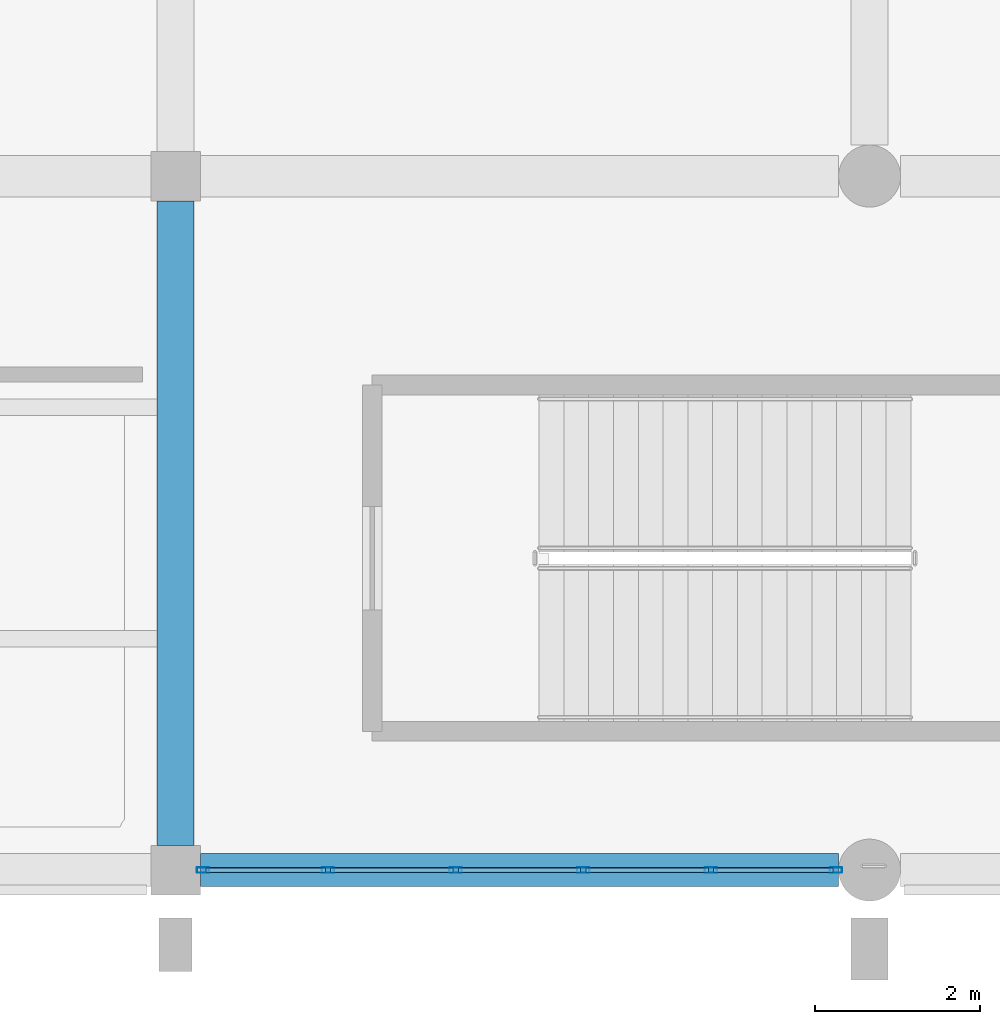
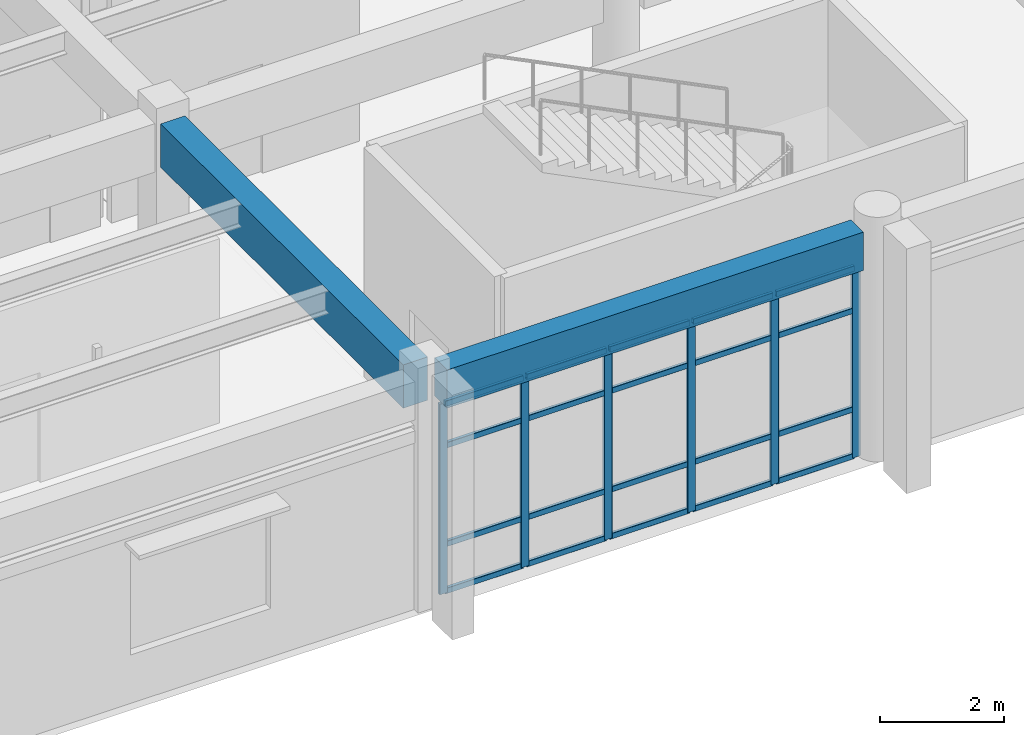
# One storey, part 20 of 139: 26 members, 2 beams, 1 element without a shape of its own.
"""IFC4 building model written with IfcOpenShell, lengths in metres."""

from ifc_helpers import new_model, si_unit, direction, frame, origin, origin_2d, place, context, subcontext, project, spatial, rectangle, hollow_rectangle, extrude, material, material_profile, profile_set, type_object, element, aggregate, save


model = new_model("IFC4")

# Units and contexts
model_context = context("Model", 3, precision=1e-05, world=origin(), true_north=direction((0.0, 1.0)))
body_context = subcontext(model_context, "Body", "Model", "MODEL_VIEW")
ifc_project = project(units=[si_unit("LENGTHUNIT", "METRE"), si_unit("AREAUNIT", "SQUARE_METRE"), si_unit("VOLUMEUNIT", "CUBIC_METRE"), si_unit("PLANEANGLEUNIT", "RADIAN"), si_unit("MASSUNIT", "GRAM", prefix="KILO")], contexts=[model_context])

# Site, building, storey
site_placement = place(None, origin())
site = spatial("IfcSite", under=ifc_project, at=site_placement, CompositionType="ELEMENT")
building_placement = place(site_placement, origin())
building = spatial("IfcBuilding", under=site, at=building_placement, Name="Canglan Escarpment Cableway Terminal", CompositionType="ELEMENT")
storey_placement = place(building_placement, frame((0.0, 0.0, 14.39990234375)))
storey = spatial("IfcBuildingStorey", under=building, at=storey_placement, Name="L03", CompositionType="ELEMENT", Elevation=14.39990234375)

# Beam
ifc_material_1 = material(Name="Concrete C40", Category="concrete")
ifc_material_profile_1 = material_profile(ifc_material_1, rectangle(XDim=0.449951171875, YDim=0.85009765625, at=origin_2d()), Name="RC 450x850")
ifc_profile_set_1 = profile_set([ifc_material_profile_1], Name="Concrete C40")
beam_type_1 = type_object("IfcBeamType", Name="BM-RC450x850", PredefinedType="BEAM", material=ifc_profile_set_1)
beam_1_placement = place(storey_placement, frame((119.89990234375, 8.300048828125, 4.05517578125), z_axis=(0.0, 1.0, 0.0), x_axis=(-1.0, 0.0, 0.0)))
element("IfcBeam", 1, at=beam_1_placement, inside=storey, type_object=beam_type_1, Name="Primary transverse girder B-02", PredefinedType="BEAM", context=body_context, shape_type="SweptSolid", body=[
    extrude(rectangle(XDim=0.449951171875, YDim=0.85009765625, at=origin_2d()), origin(), (0.0, 0.0, 1.0), 7.800048828125),
])

# Curtain wall, members
ifc_material_2 = material(Name="Anodized bronze aluminium and Low-E double glazing", Category="aluminium")
curtain_wall_type = type_object("IfcCurtainWallType", Name="CW-BAY-7725x3725", PredefinedType="NOTDEFINED", material=ifc_material_2)
curtain_wall_placement = place(storey_placement, origin())
curtain_wall = element("IfcCurtainWall", 2, at=curtain_wall_placement, inside=storey, type_object=curtain_wall_type, Name="Classical bay-between-piers glazed curtain wall CW-13", PredefinedType="NOTDEFINED")
ifc_material_3 = material(Name="Thermally broken anodized aluminium 6063-T6", Category="aluminium")
ifc_material_profile_2 = material_profile(ifc_material_3, hollow_rectangle(XDim=0.06494140625, YDim=0.14990234375, WallThickness=0.00341796875, InnerFilletRadius=0.00341796875, OuterFilletRadius=0.007080078125, at=origin_2d()), Name="ALU-MULL 65x150x3.5")
ifc_profile_set_2 = profile_set([ifc_material_profile_2], Name="Thermally broken anodized aluminium 6063-T6")
member_type_1 = type_object("IfcMemberType", Name="CWM-02", PredefinedType="MULLION", material=ifc_profile_set_2)
member_1_placement = place(storey_placement, frame((120.232421875, 8.0, 0.0), z_axis=(0.0, 0.0, 1.0), x_axis=(0.0, 1.0, 0.0)))
member_1 = element("IfcMember", 3, at=member_1_placement, type_object=member_type_1, Name="CW-13 mullion 1", PredefinedType="MULLION", context=body_context, shape_type="SweptSolid", body=[
    extrude(hollow_rectangle(XDim=0.06494140625, YDim=0.14990234375, WallThickness=0.00341796875, InnerFilletRadius=0.00341796875, OuterFilletRadius=0.007080078125, at=origin_2d()), origin(), (0.0, 0.0, 1.0), 3.735107421875),
])
member_2_placement = place(storey_placement, frame((121.7451171875, 8.0, 0.0), z_axis=(0.0, 0.0, 1.0), x_axis=(0.0, 1.0, 0.0)))
member_2 = element("IfcMember", 4, at=member_2_placement, type_object=member_type_1, Name="CW-13 mullion 2", PredefinedType="MULLION", context=body_context, shape_type="SweptSolid", body=[
    extrude(hollow_rectangle(XDim=0.06494140625, YDim=0.14990234375, WallThickness=0.00341796875, InnerFilletRadius=0.00341796875, OuterFilletRadius=0.007080078125, at=origin_2d()), origin(), (0.0, 0.0, 1.0), 3.735107421875),
])
member_3_placement = place(storey_placement, frame((123.2900390625, 8.0, 0.0), z_axis=(0.0, 0.0, 1.0), x_axis=(0.0, 1.0, 0.0)))
member_3 = element("IfcMember", 5, at=member_3_placement, type_object=member_type_1, Name="CW-13 mullion 3", PredefinedType="MULLION", context=body_context, shape_type="SweptSolid", body=[
    extrude(hollow_rectangle(XDim=0.06494140625, YDim=0.14990234375, WallThickness=0.00341796875, InnerFilletRadius=0.00341796875, OuterFilletRadius=0.007080078125, at=origin_2d()), origin(), (0.0, 0.0, 1.0), 3.735107421875),
])
member_4_placement = place(storey_placement, frame((124.8349609375, 8.0, 0.0), z_axis=(0.0, 0.0, 1.0), x_axis=(0.0, 1.0, 0.0)))
member_4 = element("IfcMember", 6, at=member_4_placement, type_object=member_type_1, Name="CW-13 mullion 4", PredefinedType="MULLION", context=body_context, shape_type="SweptSolid", body=[
    extrude(hollow_rectangle(XDim=0.06494140625, YDim=0.14990234375, WallThickness=0.00341796875, InnerFilletRadius=0.00341796875, OuterFilletRadius=0.007080078125, at=origin_2d()), origin(), (0.0, 0.0, 1.0), 3.735107421875),
])
member_5_placement = place(storey_placement, frame((126.3798828125, 8.0, 0.0), z_axis=(0.0, 0.0, 1.0), x_axis=(0.0, 1.0, 0.0)))
member_5 = element("IfcMember", 7, at=member_5_placement, type_object=member_type_1, Name="CW-13 mullion 5", PredefinedType="MULLION", context=body_context, shape_type="SweptSolid", body=[
    extrude(hollow_rectangle(XDim=0.06494140625, YDim=0.14990234375, WallThickness=0.00341796875, InnerFilletRadius=0.00341796875, OuterFilletRadius=0.007080078125, at=origin_2d()), origin(), (0.0, 0.0, 1.0), 3.735107421875),
])
member_6_placement = place(storey_placement, frame((127.892578125, 8.0, 0.0), z_axis=(0.0, 0.0, 1.0), x_axis=(0.0, 1.0, 0.0)))
member_6 = element("IfcMember", 8, at=member_6_placement, type_object=member_type_1, Name="CW-13 mullion 6", PredefinedType="MULLION", context=body_context, shape_type="SweptSolid", body=[
    extrude(hollow_rectangle(XDim=0.06494140625, YDim=0.14990234375, WallThickness=0.00341796875, InnerFilletRadius=0.00341796875, OuterFilletRadius=0.007080078125, at=origin_2d()), origin(), (0.0, 0.0, 1.0), 3.735107421875),
])
ifc_material_profile_3 = material_profile(ifc_material_3, hollow_rectangle(XDim=0.06005859375, YDim=0.110107421875, WallThickness=0.0029296875, InnerFilletRadius=0.0029296875, OuterFilletRadius=0.006103515625, at=origin_2d()), Name="ALU-TRAN 60x110x3")
ifc_profile_set_3 = profile_set([ifc_material_profile_3], Name="Thermally broken anodized aluminium 6063-T6")
member_type_2 = type_object("IfcMemberType", Name="CWT-02", PredefinedType="USERDEFINED", material=ifc_profile_set_3)
member_7_placement = place(storey_placement, frame((120.264892578125, 8.0, 0.030029296875), z_axis=(1.0, 0.0, 0.0), x_axis=(0.0, 1.0, 0.0)))
member_7 = element("IfcMember", 9, at=member_7_placement, type_object=member_type_2, Name="CW-13 transom 1.1", ObjectType="TRANSOM", PredefinedType="USERDEFINED", context=body_context, shape_type="SweptSolid", body=[
    extrude(hollow_rectangle(XDim=0.06005859375, YDim=0.110107421875, WallThickness=0.0029296875, InnerFilletRadius=0.0029296875, OuterFilletRadius=0.006103515625, at=origin_2d()), origin(), (0.0, 0.0, 1.0), 1.447509765625),
])
member_8_placement = place(storey_placement, frame((120.264892578125, 8.0, 0.9501953125), z_axis=(1.0, 0.0, 0.0), x_axis=(0.0, 1.0, 0.0)))
member_8 = element("IfcMember", 10, at=member_8_placement, type_object=member_type_2, Name="CW-13 transom 1.2", ObjectType="TRANSOM", PredefinedType="USERDEFINED", context=body_context, shape_type="SweptSolid", body=[
    extrude(hollow_rectangle(XDim=0.06005859375, YDim=0.110107421875, WallThickness=0.0029296875, InnerFilletRadius=0.0029296875, OuterFilletRadius=0.006103515625, at=origin_2d()), origin(), (0.0, 0.0, 1.0), 1.447509765625),
])
member_9_placement = place(storey_placement, frame((120.264892578125, 8.0, 2.885009765625), z_axis=(1.0, 0.0, 0.0), x_axis=(0.0, 1.0, 0.0)))
member_9 = element("IfcMember", 11, at=member_9_placement, type_object=member_type_2, Name="CW-13 transom 1.3", ObjectType="TRANSOM", PredefinedType="USERDEFINED", context=body_context, shape_type="SweptSolid", body=[
    extrude(hollow_rectangle(XDim=0.06005859375, YDim=0.110107421875, WallThickness=0.0029296875, InnerFilletRadius=0.0029296875, OuterFilletRadius=0.006103515625, at=origin_2d()), origin(), (0.0, 0.0, 1.0), 1.447509765625),
])
member_10_placement = place(storey_placement, frame((120.264892578125, 8.0, 3.705078125), z_axis=(1.0, 0.0, 0.0), x_axis=(0.0, 1.0, 0.0)))
member_10 = element("IfcMember", 12, at=member_10_placement, type_object=member_type_2, Name="CW-13 transom 1.4", ObjectType="TRANSOM", PredefinedType="USERDEFINED", context=body_context, shape_type="SweptSolid", body=[
    extrude(hollow_rectangle(XDim=0.06005859375, YDim=0.110107421875, WallThickness=0.0029296875, InnerFilletRadius=0.0029296875, OuterFilletRadius=0.006103515625, at=origin_2d()), origin(), (0.0, 0.0, 1.0), 1.447509765625),
])
member_11_placement = place(storey_placement, frame((121.777587890625, 8.0, 0.030029296875), z_axis=(1.0, 0.0, 0.0), x_axis=(0.0, 1.0, 0.0)))
member_11 = element("IfcMember", 13, at=member_11_placement, type_object=member_type_2, Name="CW-13 transom 2.1", ObjectType="TRANSOM", PredefinedType="USERDEFINED", context=body_context, shape_type="SweptSolid", body=[
    extrude(hollow_rectangle(XDim=0.06005859375, YDim=0.110107421875, WallThickness=0.0029296875, InnerFilletRadius=0.0029296875, OuterFilletRadius=0.006103515625, at=origin_2d()), origin(), (0.0, 0.0, 1.0), 1.47998046875),
])
member_12_placement = place(storey_placement, frame((121.777587890625, 8.0, 0.9501953125), z_axis=(1.0, 0.0, 0.0), x_axis=(0.0, 1.0, 0.0)))
member_12 = element("IfcMember", 14, at=member_12_placement, type_object=member_type_2, Name="CW-13 transom 2.2", ObjectType="TRANSOM", PredefinedType="USERDEFINED", context=body_context, shape_type="SweptSolid", body=[
    extrude(hollow_rectangle(XDim=0.06005859375, YDim=0.110107421875, WallThickness=0.0029296875, InnerFilletRadius=0.0029296875, OuterFilletRadius=0.006103515625, at=origin_2d()), origin(), (0.0, 0.0, 1.0), 1.47998046875),
])
member_13_placement = place(storey_placement, frame((121.777587890625, 8.0, 2.885009765625), z_axis=(1.0, 0.0, 0.0), x_axis=(0.0, 1.0, 0.0)))
member_13 = element("IfcMember", 15, at=member_13_placement, type_object=member_type_2, Name="CW-13 transom 2.3", ObjectType="TRANSOM", PredefinedType="USERDEFINED", context=body_context, shape_type="SweptSolid", body=[
    extrude(hollow_rectangle(XDim=0.06005859375, YDim=0.110107421875, WallThickness=0.0029296875, InnerFilletRadius=0.0029296875, OuterFilletRadius=0.006103515625, at=origin_2d()), origin(), (0.0, 0.0, 1.0), 1.47998046875),
])
member_14_placement = place(storey_placement, frame((121.777587890625, 8.0, 3.705078125), z_axis=(1.0, 0.0, 0.0), x_axis=(0.0, 1.0, 0.0)))
member_14 = element("IfcMember", 16, at=member_14_placement, type_object=member_type_2, Name="CW-13 transom 2.4", ObjectType="TRANSOM", PredefinedType="USERDEFINED", context=body_context, shape_type="SweptSolid", body=[
    extrude(hollow_rectangle(XDim=0.06005859375, YDim=0.110107421875, WallThickness=0.0029296875, InnerFilletRadius=0.0029296875, OuterFilletRadius=0.006103515625, at=origin_2d()), origin(), (0.0, 0.0, 1.0), 1.47998046875),
])
member_15_placement = place(storey_placement, frame((123.322509765625, 8.0, 0.030029296875), z_axis=(1.0, 0.0, 0.0), x_axis=(0.0, 1.0, 0.0)))
member_15 = element("IfcMember", 17, at=member_15_placement, type_object=member_type_2, Name="CW-13 transom 3.1", ObjectType="TRANSOM", PredefinedType="USERDEFINED", context=body_context, shape_type="SweptSolid", body=[
    extrude(hollow_rectangle(XDim=0.06005859375, YDim=0.110107421875, WallThickness=0.0029296875, InnerFilletRadius=0.0029296875, OuterFilletRadius=0.006103515625, at=origin_2d()), origin(), (0.0, 0.0, 1.0), 1.47998046875),
])
member_16_placement = place(storey_placement, frame((123.322509765625, 8.0, 0.9501953125), z_axis=(1.0, 0.0, 0.0), x_axis=(0.0, 1.0, 0.0)))
member_16 = element("IfcMember", 18, at=member_16_placement, type_object=member_type_2, Name="CW-13 transom 3.2", ObjectType="TRANSOM", PredefinedType="USERDEFINED", context=body_context, shape_type="SweptSolid", body=[
    extrude(hollow_rectangle(XDim=0.06005859375, YDim=0.110107421875, WallThickness=0.0029296875, InnerFilletRadius=0.0029296875, OuterFilletRadius=0.006103515625, at=origin_2d()), origin(), (0.0, 0.0, 1.0), 1.47998046875),
])
member_17_placement = place(storey_placement, frame((123.322509765625, 8.0, 2.885009765625), z_axis=(1.0, 0.0, 0.0), x_axis=(0.0, 1.0, 0.0)))
member_17 = element("IfcMember", 19, at=member_17_placement, type_object=member_type_2, Name="CW-13 transom 3.3", ObjectType="TRANSOM", PredefinedType="USERDEFINED", context=body_context, shape_type="SweptSolid", body=[
    extrude(hollow_rectangle(XDim=0.06005859375, YDim=0.110107421875, WallThickness=0.0029296875, InnerFilletRadius=0.0029296875, OuterFilletRadius=0.006103515625, at=origin_2d()), origin(), (0.0, 0.0, 1.0), 1.47998046875),
])
member_18_placement = place(storey_placement, frame((123.322509765625, 8.0, 3.705078125), z_axis=(1.0, 0.0, 0.0), x_axis=(0.0, 1.0, 0.0)))
member_18 = element("IfcMember", 20, at=member_18_placement, type_object=member_type_2, Name="CW-13 transom 3.4", ObjectType="TRANSOM", PredefinedType="USERDEFINED", context=body_context, shape_type="SweptSolid", body=[
    extrude(hollow_rectangle(XDim=0.06005859375, YDim=0.110107421875, WallThickness=0.0029296875, InnerFilletRadius=0.0029296875, OuterFilletRadius=0.006103515625, at=origin_2d()), origin(), (0.0, 0.0, 1.0), 1.47998046875),
])
member_19_placement = place(storey_placement, frame((124.867431640625, 8.0, 0.030029296875), z_axis=(1.0, 0.0, 0.0), x_axis=(0.0, 1.0, 0.0)))
member_19 = element("IfcMember", 21, at=member_19_placement, type_object=member_type_2, Name="CW-13 transom 4.1", ObjectType="TRANSOM", PredefinedType="USERDEFINED", context=body_context, shape_type="SweptSolid", body=[
    extrude(hollow_rectangle(XDim=0.06005859375, YDim=0.110107421875, WallThickness=0.0029296875, InnerFilletRadius=0.0029296875, OuterFilletRadius=0.006103515625, at=origin_2d()), origin(), (0.0, 0.0, 1.0), 1.47998046875),
])
member_20_placement = place(storey_placement, frame((124.867431640625, 8.0, 0.9501953125), z_axis=(1.0, 0.0, 0.0), x_axis=(0.0, 1.0, 0.0)))
member_20 = element("IfcMember", 22, at=member_20_placement, type_object=member_type_2, Name="CW-13 transom 4.2", ObjectType="TRANSOM", PredefinedType="USERDEFINED", context=body_context, shape_type="SweptSolid", body=[
    extrude(hollow_rectangle(XDim=0.06005859375, YDim=0.110107421875, WallThickness=0.0029296875, InnerFilletRadius=0.0029296875, OuterFilletRadius=0.006103515625, at=origin_2d()), origin(), (0.0, 0.0, 1.0), 1.47998046875),
])
member_21_placement = place(storey_placement, frame((124.867431640625, 8.0, 2.885009765625), z_axis=(1.0, 0.0, 0.0), x_axis=(0.0, 1.0, 0.0)))
member_21 = element("IfcMember", 23, at=member_21_placement, type_object=member_type_2, Name="CW-13 transom 4.3", ObjectType="TRANSOM", PredefinedType="USERDEFINED", context=body_context, shape_type="SweptSolid", body=[
    extrude(hollow_rectangle(XDim=0.06005859375, YDim=0.110107421875, WallThickness=0.0029296875, InnerFilletRadius=0.0029296875, OuterFilletRadius=0.006103515625, at=origin_2d()), origin(), (0.0, 0.0, 1.0), 1.47998046875),
])
member_22_placement = place(storey_placement, frame((124.867431640625, 8.0, 3.705078125), z_axis=(1.0, 0.0, 0.0), x_axis=(0.0, 1.0, 0.0)))
member_22 = element("IfcMember", 24, at=member_22_placement, type_object=member_type_2, Name="CW-13 transom 4.4", ObjectType="TRANSOM", PredefinedType="USERDEFINED", context=body_context, shape_type="SweptSolid", body=[
    extrude(hollow_rectangle(XDim=0.06005859375, YDim=0.110107421875, WallThickness=0.0029296875, InnerFilletRadius=0.0029296875, OuterFilletRadius=0.006103515625, at=origin_2d()), origin(), (0.0, 0.0, 1.0), 1.47998046875),
])
member_23_placement = place(storey_placement, frame((126.41259765625, 8.0, 0.030029296875), z_axis=(1.0, 0.0, 0.0), x_axis=(0.0, 1.0, 0.0)))
member_23 = element("IfcMember", 25, at=member_23_placement, type_object=member_type_2, Name="CW-13 transom 5.1", ObjectType="TRANSOM", PredefinedType="USERDEFINED", context=body_context, shape_type="SweptSolid", body=[
    extrude(hollow_rectangle(XDim=0.06005859375, YDim=0.110107421875, WallThickness=0.0029296875, InnerFilletRadius=0.0029296875, OuterFilletRadius=0.006103515625, at=origin_2d()), origin(), (0.0, 0.0, 1.0), 1.447509765625),
])
member_24_placement = place(storey_placement, frame((126.41259765625, 8.0, 0.9501953125), z_axis=(1.0, 0.0, 0.0), x_axis=(0.0, 1.0, 0.0)))
member_24 = element("IfcMember", 26, at=member_24_placement, type_object=member_type_2, Name="CW-13 transom 5.2", ObjectType="TRANSOM", PredefinedType="USERDEFINED", context=body_context, shape_type="SweptSolid", body=[
    extrude(hollow_rectangle(XDim=0.06005859375, YDim=0.110107421875, WallThickness=0.0029296875, InnerFilletRadius=0.0029296875, OuterFilletRadius=0.006103515625, at=origin_2d()), origin(), (0.0, 0.0, 1.0), 1.447509765625),
])
member_25_placement = place(storey_placement, frame((126.41259765625, 8.0, 2.885009765625), z_axis=(1.0, 0.0, 0.0), x_axis=(0.0, 1.0, 0.0)))
member_25 = element("IfcMember", 27, at=member_25_placement, type_object=member_type_2, Name="CW-13 transom 5.3", ObjectType="TRANSOM", PredefinedType="USERDEFINED", context=body_context, shape_type="SweptSolid", body=[
    extrude(hollow_rectangle(XDim=0.06005859375, YDim=0.110107421875, WallThickness=0.0029296875, InnerFilletRadius=0.0029296875, OuterFilletRadius=0.006103515625, at=origin_2d()), origin(), (0.0, 0.0, 1.0), 1.447509765625),
])
member_26_placement = place(storey_placement, frame((126.41259765625, 8.0, 3.705078125), z_axis=(1.0, 0.0, 0.0), x_axis=(0.0, 1.0, 0.0)))
member_26 = element("IfcMember", 28, at=member_26_placement, type_object=member_type_2, Name="CW-13 transom 5.4", ObjectType="TRANSOM", PredefinedType="USERDEFINED", context=body_context, shape_type="SweptSolid", body=[
    extrude(hollow_rectangle(XDim=0.06005859375, YDim=0.110107421875, WallThickness=0.0029296875, InnerFilletRadius=0.0029296875, OuterFilletRadius=0.006103515625, at=origin_2d()), origin(), (0.0, 0.0, 1.0), 1.447509765625),
])
aggregate(curtain_wall, [member_1, member_2, member_3, member_4, member_5, member_6, member_7, member_8, member_9, member_10, member_11, member_12, member_13, member_14, member_15, member_16, member_17, member_18, member_19, member_20, member_21, member_22, member_23, member_24, member_25, member_26])

# Beam
ifc_material_profile_4 = material_profile(ifc_material_1, rectangle(XDim=0.39990234375, YDim=0.75, at=origin_2d()), Name="RC 400x750")
ifc_profile_set_4 = profile_set([ifc_material_profile_4], Name="Concrete C40")
beam_type_2 = type_object("IfcBeamType", Name="SP-RC400x750", PredefinedType="SPANDREL", material=ifc_profile_set_4)
beam_2_placement = place(storey_placement, frame((120.199951171875, 8.0, 4.125), z_axis=(1.0, 0.0, 0.0), x_axis=(0.0, 1.0, 0.0)))
element("IfcBeam", 29, at=beam_2_placement, inside=storey, type_object=beam_type_2, Name="Primary structural girder SP-01", PredefinedType="SPANDREL", context=body_context, shape_type="SweptSolid", body=[
    extrude(rectangle(XDim=0.39990234375, YDim=0.75, at=origin_2d()), origin(), (0.0, 0.0, 1.0), 7.72509765625),
])

save(model, "model.ifc")
